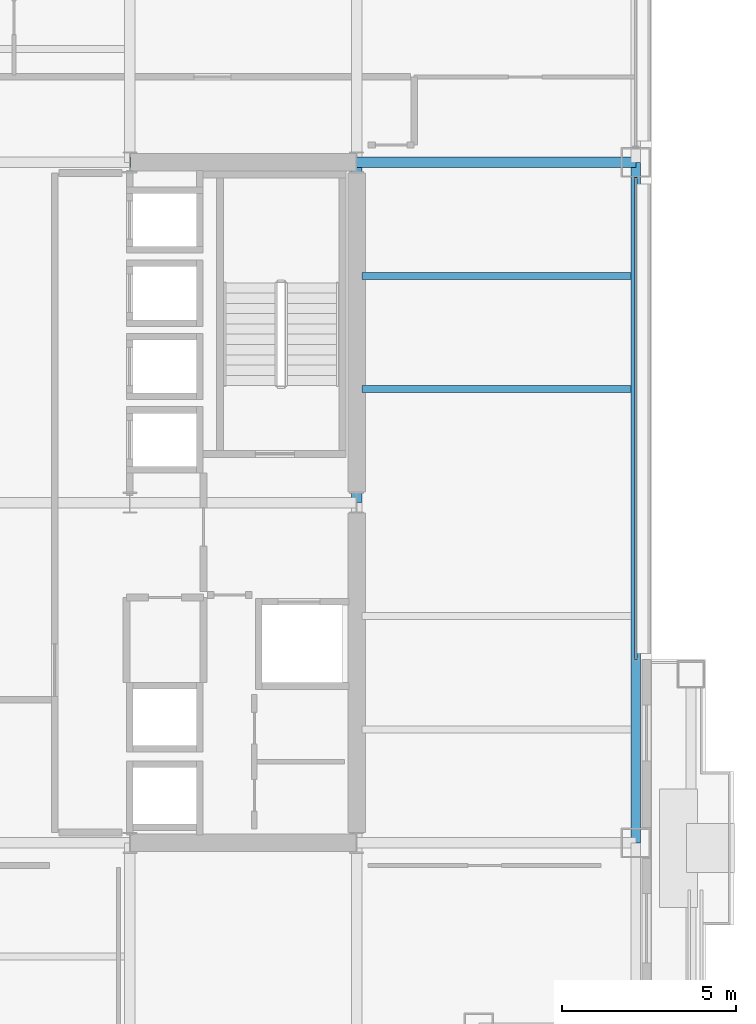
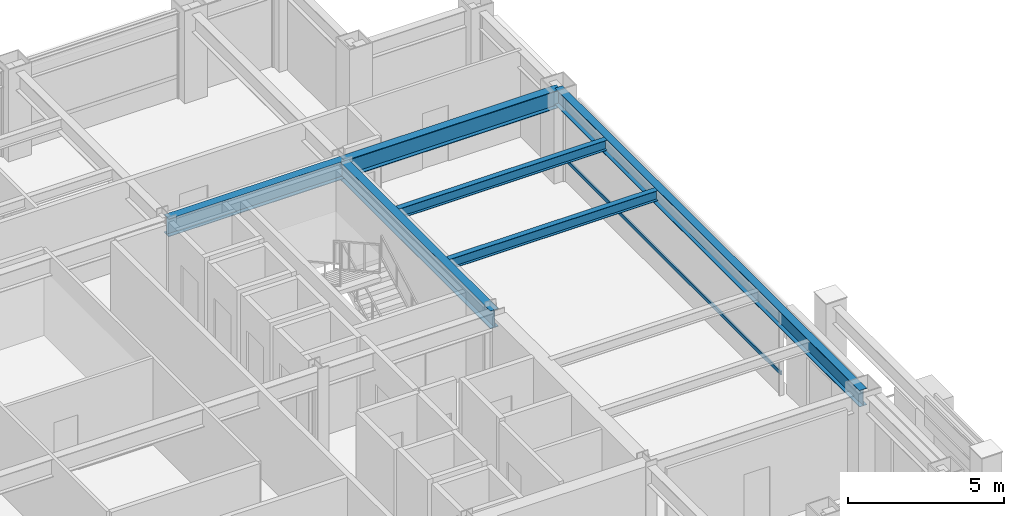
# One storey, part 15 of 29: 6 beams, 1 member, 1 element without a shape of its own.
"""IFC4 building model written with IfcOpenShell, lengths in metres."""

import ifcopenshell
import ifcopenshell.guid

model = None  # the IFC model being written
_history = None  # IfcOwnerHistory: only IFC2X3 demands one
_inside = {}  # id of a spatial element -> (the spatial element, [elements in it])
_under = {}  # id of a project, library or spatial element -> (it, [spatial elements below it])
_declared = {}  # id of a project -> (the project, [libraries it declares])
_typed = {}  # id of a type object -> (the type object, [elements of that type])
_made_of = {}  # id of a material, layer set ... -> (it, [elements and type objects made of it])


def new_model(schema):
    """Start an empty IFC model of exactly this schema.

    Asked for "IFC4X3", IfcOpenShell would pick the latest addendum, in which some entities
    have other attributes; the version numbers below select the first issue.
    IFC2X3 requires an IfcOwnerHistory on every rooted entity: one is made here for all.
    """
    global model, _history
    if schema == "IFC4X3":
        model = ifcopenshell.file(schema_version=(4, 3, 0, 0))
    else:
        model = ifcopenshell.file(schema=schema)
    _inside.clear()
    _under.clear()
    _declared.clear()
    _typed.clear()
    _made_of.clear()
    _history = None
    if model.schema == "IFC2X3":
        org = make("IfcOrganization", Name="unknown")
        user = make(
            "IfcPersonAndOrganization",
            ThePerson=make("IfcPerson", FamilyName="unknown"),
            TheOrganization=org,
        )
        app = make(
            "IfcApplication",
            ApplicationDeveloper=org,
            Version="unknown",
            ApplicationFullName="unknown",
            ApplicationIdentifier="unknown",
        )
        _history = make(
            "IfcOwnerHistory",
            OwningUser=user,
            OwningApplication=app,
            ChangeAction="ADDED",
            CreationDate=0,
        )
    return model


def make(cls, **values):
    """One entity of the class cls with the attributes given. An attribute that is None is left unset."""
    return model.create_entity(
        cls, **{name: value for name, value in values.items() if value is not None}
    )


def rooted(cls, **values):
    """An entity with a GlobalId (a new one), such as an element, a storey or a relation."""
    return make(cls, GlobalId=ifcopenshell.guid.new(), OwnerHistory=_history, **values)


def si_unit(unit_type, name, prefix=None):
    """IfcSIUnit, for example si_unit("LENGTHUNIT", "METRE", prefix="MILLI")."""
    return make("IfcSIUnit", UnitType=unit_type, Prefix=prefix, Name=name)


def assignment(units):
    """IfcUnitAssignment: the units of a project."""
    return None if units is None else make("IfcUnitAssignment", Units=units)


def point(xyz):
    """IfcCartesianPoint."""
    return None if xyz is None else make("IfcCartesianPoint", Coordinates=xyz)


def direction(xyz):
    """IfcDirection."""
    return None if xyz is None else make("IfcDirection", DirectionRatios=xyz)


def frame(location, z_axis=None, x_axis=None):
    """IfcAxis2Placement3D, a coordinate frame: its origin and axes. An axis left out is left unset."""
    return make(
        "IfcAxis2Placement3D",
        Location=point(location),
        Axis=direction(z_axis),
        RefDirection=direction(x_axis),
    )


def frame_2d(location, x_axis=None):
    """IfcAxis2Placement2D, a coordinate frame in the plane: its origin and x axis."""
    return make(
        "IfcAxis2Placement2D", Location=point(location), RefDirection=direction(x_axis)
    )


def origin():
    """The frame at (0, 0, 0) with its axes left unset."""
    return frame((0.0, 0.0, 0.0))


def origin_2d():
    """The frame at (0, 0) in the plane with its x axis left unset."""
    return frame_2d((0.0, 0.0))


def place(relative_to, where):
    """IfcLocalPlacement: puts the frame where relative to a parent placement (None: the world)."""
    return make(
        "IfcLocalPlacement", PlacementRelTo=relative_to, RelativePlacement=where
    )


def context(
    kind, dimensions, precision=None, world=None, true_north=None, identifier=None
):
    """IfcGeometricRepresentationContext, for example the 3D "Model" context."""
    return make(
        "IfcGeometricRepresentationContext",
        ContextIdentifier=identifier,
        ContextType=kind,
        CoordinateSpaceDimension=dimensions,
        Precision=precision,
        WorldCoordinateSystem=world,
        TrueNorth=true_north,
    )


def subcontext(parent, identifier, kind, view, scale=None):
    """IfcGeometricRepresentationSubContext, for example "Body" below "Model"."""
    return make(
        "IfcGeometricRepresentationSubContext",
        ContextIdentifier=identifier,
        ContextType=kind,
        ParentContext=parent,
        TargetScale=scale,
        TargetView=view,
    )


def project(units=None, contexts=None):
    """IfcProject with its units and contexts."""
    return rooted(
        "IfcProject",
        Name="project",
        RepresentationContexts=contexts,
        UnitsInContext=assignment(units),
    )


def spatial(cls, under=None, at=None, **own):
    """A site, building, storey or space (cls), placed at a placement, below another one or the project."""
    s = rooted(cls, ObjectPlacement=at, **own)
    if under is not None:
        _under.setdefault(under.id(), (under, []))[1].append(s)
    return s


def profile(cls, at=None, kind="AREA", **sizes):
    """A parametric profile (cls). Its sizes go by their IFC names, for example OverallWidth=200.0."""
    return make(cls, ProfileType=kind, Position=at, **sizes)


def hollow_rectangle(**sizes):
    """IfcRectangleHollowProfileDef."""
    return profile("IfcRectangleHollowProfileDef", **sizes)


def i_section(**sizes):
    """IfcIShapeProfileDef."""
    return profile("IfcIShapeProfileDef", **sizes)


def extrude(swept, where, along, depth):
    """IfcExtrudedAreaSolid: the profile swept, set in the frame where, extruded along a direction by depth."""
    return make(
        "IfcExtrudedAreaSolid",
        SweptArea=swept,
        Position=where,
        ExtrudedDirection=direction(along),
        Depth=depth,
    )


def shape(context_of_items, identifier, shape_type, items):
    """IfcShapeRepresentation: the items that make up one representation, for example the "Body"."""
    return make(
        "IfcShapeRepresentation",
        ContextOfItems=context_of_items,
        RepresentationIdentifier=identifier,
        RepresentationType=shape_type,
        Items=items,
    )


def material(Name=None, Category=None):
    """IfcMaterial."""
    return make("IfcMaterial", Name=Name, Category=Category)


def layer(
    of_material, thickness, ventilated=None, Name=None, Category=None, Priority=None
):
    """IfcMaterialLayer: one layer of a wall or slab, of a material (None: an air gap)."""
    return make(
        "IfcMaterialLayer",
        Material=of_material,
        LayerThickness=thickness,
        IsVentilated=ventilated,
        Name=Name,
        Category=Category,
        Priority=Priority,
    )


def layer_set(layers, Name=None):
    """IfcMaterialLayerSet."""
    return make("IfcMaterialLayerSet", MaterialLayers=layers, LayerSetName=Name)


def material_profile(
    of_material, cross_section, Name=None, Category=None, Priority=None
):
    """IfcMaterialProfile: a cross section and its material."""
    return make(
        "IfcMaterialProfile",
        Name=Name,
        Material=of_material,
        Profile=cross_section,
        Priority=Priority,
        Category=Category,
    )


def profile_set(profiles, Name=None, composite=None):
    """IfcMaterialProfileSet."""
    return make(
        "IfcMaterialProfileSet",
        Name=Name,
        MaterialProfiles=profiles,
        CompositeProfile=composite,
    )


def made_of(thing, what):
    """Note that an element or type object is made of a material, layer set ...; save() writes the relation."""
    if what is not None:
        _made_of.setdefault(what.id(), (what, []))[1].append(thing)
    return thing


def type_object(cls, material=None, **own):
    """A type object (cls), such as IfcWallType, which elements share."""
    return made_of(rooted(cls, **own), material)


def element(
    cls,
    number,
    at=None,
    inside=None,
    cuts=None,
    type_object=None,
    material=None,
    context=None,
    identifier="Body",
    shape_type=None,
    held_by="IfcProductDefinitionShape",
    body=None,
    shapes=None,
    **own,
):
    """One element of the class cls, such as IfcWall. Its Tag is "e" and its number.

    at: its placement. inside: the storey or other place that contains it. cuts: it is an
    opening in that element (IfcRelVoidsElement). A single representation is given by context,
    identifier, shape_type and body (its items); several are given by shapes. held_by: the class
    of the entity that holds the representations. save() writes the other relations.
    """
    e = rooted(cls, Tag="e%d" % number, ObjectPlacement=at, **own)
    if body is not None:
        shapes = [shape(context, identifier, shape_type, body)]
    if shapes is not None:
        e.Representation = make(held_by, Representations=shapes)
    if inside is not None:
        _inside.setdefault(inside.id(), (inside, []))[1].append(e)
    if cuts is not None:
        rooted(
            "IfcRelVoidsElement", RelatingBuildingElement=cuts, RelatedOpeningElement=e
        )
    if type_object is not None:
        _typed.setdefault(type_object.id(), (type_object, []))[1].append(e)
    return made_of(e, material)


def aggregate(whole, parts):
    """IfcRelAggregates: a whole, such as a stair, and the parts it consists of."""
    return rooted("IfcRelAggregates", RelatingObject=whole, RelatedObjects=parts)


def save(model, path):
    """Write the relations noted so far, then the file.

    IfcRelAggregates (storeys below a building ...), IfcRelContainedInSpatialStructure (elements
    in a storey), IfcRelDefinesByType, IfcRelAssociatesMaterial and IfcRelDeclares: one each for
    every whole, place, type object, material and project.
    """
    for whole, parts in _under.values():
        aggregate(whole, parts)
    for where, things in _inside.values():
        rooted(
            "IfcRelContainedInSpatialStructure",
            RelatedElements=things,
            RelatingStructure=where,
        )
    for kind, things in _typed.values():
        rooted("IfcRelDefinesByType", RelatedObjects=things, RelatingType=kind)
    for what, things in _made_of.values():
        rooted("IfcRelAssociatesMaterial", RelatedObjects=things, RelatingMaterial=what)
    for by, libraries in _declared.values():
        rooted("IfcRelDeclares", RelatingContext=by, RelatedDefinitions=libraries)
    model.write(path)


model = new_model("IFC4")

# Units and contexts
model_context = context("Model", 3, precision=1e-05, world=origin(), true_north=direction((0.0, 1.0)))
body_context = subcontext(model_context, "Body", "Model", "MODEL_VIEW")
ifc_project = project(units=[si_unit("LENGTHUNIT", "METRE"), si_unit("AREAUNIT", "SQUARE_METRE"), si_unit("VOLUMEUNIT", "CUBIC_METRE"), si_unit("PLANEANGLEUNIT", "RADIAN"), si_unit("MASSUNIT", "GRAM", prefix="KILO")], contexts=[model_context])

# Site, building, storey
site_placement = place(None, origin())
site = spatial("IfcSite", under=ifc_project, at=site_placement, CompositionType="ELEMENT")
building_placement = place(site_placement, origin())
building = spatial("IfcBuilding", under=site, at=building_placement, Name="Brelmoor Portico Tower", CompositionType="ELEMENT")
storey_placement = place(building_placement, frame((0.0, 0.0, 95.39990234375)))
storey = spatial("IfcBuildingStorey", under=building, at=storey_placement, Name="L24", CompositionType="ELEMENT", Elevation=95.39990234375)

# Beams
ifc_material_1 = material(Name="Steel Q355B", Category="steel")
ifc_material_profile_1 = material_profile(ifc_material_1, i_section(OverallWidth=0.199951171875, OverallDepth=0.39990234375, WebThickness=0.008056640625, FlangeThickness=0.012939453125, at=origin_2d()), Name="HN 400x200x8x13")
ifc_profile_set_1 = profile_set([ifc_material_profile_1], Name="Steel Q355B")
beam_type_1 = type_object("IfcBeamType", Name="BM-JS-400", PredefinedType="JOIST", material=ifc_profile_set_1)
for number, where, z_axis, x_axis, name in (
    (1, (14.699951171875, 3.25, 3.2001953125), (1.0, 0.0, 0.0), (0.0, 1.0, 0.0), "L24 Secondary Wing Joist JS-E11"),
    (2, (14.699951171875, 6.5, 3.2001953125), (1.0, 0.0, 0.0), (0.0, 1.0, 0.0), "L24 Secondary Wing Joist JS-E12"),
):
    element("IfcBeam", number, at=place(storey_placement, frame(where, z_axis=z_axis, x_axis=x_axis)), inside=storey, type_object=beam_type_1, Name=name, PredefinedType="JOIST", context=body_context, shape_type="SweptSolid", body=[
        extrude(i_section(OverallWidth=0.199951171875, OverallDepth=0.39990234375, WebThickness=0.008056640625, FlangeThickness=0.012939453125, at=origin_2d()), origin(), (0.0, 0.0, 1.0), 7.7099609375),
    ])
ifc_material_profile_2 = material_profile(ifc_material_1, i_section(OverallWidth=0.300048828125, OverallDepth=0.699951171875, WebThickness=0.012939453125, FlangeThickness=0.02392578125, at=origin_2d()), Name="HN 700x300x13x24")
ifc_profile_set_2 = profile_set([ifc_material_profile_2], Name="Steel Q355B")
beam_type_2 = type_object("IfcBeamType", Name="BM-PG-700", PredefinedType="BEAM", material=ifc_profile_set_2)
beam_1_placement = place(storey_placement, frame((14.550048828125, 0.0, 3.050048828125), z_axis=(0.0, 1.0, 0.0), x_axis=(-1.0, 0.0, 0.0)))
element("IfcBeam", 3, at=beam_1_placement, inside=storey, type_object=beam_type_2, Name="L24 Primary Floor Girder PG-12", PredefinedType="BEAM", context=body_context, shape_type="SweptSolid", body=[
    extrude(i_section(OverallWidth=0.300048828125, OverallDepth=0.699951171875, WebThickness=0.012939453125, FlangeThickness=0.02392578125, at=origin_2d()), origin(), (0.0, 0.0, 1.0), 9.75),
])
beam_2_placement = place(storey_placement, frame((8.050048828125, 9.75, 3.050048828125), z_axis=(1.0, 0.0, 0.0), x_axis=(0.0, 1.0, 0.0)))
element("IfcBeam", 4, at=beam_2_placement, inside=storey, type_object=beam_type_2, Name="L24 Primary Floor Girder PG-25", PredefinedType="BEAM", context=body_context, shape_type="SweptSolid", body=[
    extrude(i_section(OverallWidth=0.300048828125, OverallDepth=0.699951171875, WebThickness=0.012939453125, FlangeThickness=0.02392578125, at=origin_2d()), origin(), (0.0, 0.0, 1.0), 6.5),
])
beam_3_placement = place(storey_placement, frame((14.550048828125, 9.75, 3.050048828125), z_axis=(1.0, 0.0, 0.0), x_axis=(0.0, 1.0, 0.0)))
element("IfcBeam", 5, at=beam_3_placement, inside=storey, type_object=beam_type_2, Name="L24 Primary Floor Girder PG-26", PredefinedType="BEAM", context=body_context, shape_type="SweptSolid", body=[
    extrude(i_section(OverallWidth=0.300048828125, OverallDepth=0.699951171875, WebThickness=0.012939453125, FlangeThickness=0.02392578125, at=origin_2d()), origin(), (0.0, 0.0, 1.0), 8.0),
])
ifc_material_profile_3 = material_profile(ifc_material_1, i_section(OverallWidth=0.280029296875, OverallDepth=0.64990234375, WebThickness=0.012939453125, FlangeThickness=0.02197265625, at=origin_2d()), Name="HN 650x280x13x22")
ifc_profile_set_3 = profile_set([ifc_material_profile_3], Name="Steel Q355B")
beam_type_3 = type_object("IfcBeamType", Name="BM-SP-650", PredefinedType="SPANDREL", material=ifc_profile_set_3)
beam_4_placement = place(storey_placement, frame((22.550048828125, -9.75, 3.0751953125), z_axis=(0.0, 1.0, 0.0), x_axis=(-1.0, 0.0, 0.0)))
element("IfcBeam", 6, at=beam_4_placement, inside=storey, type_object=beam_type_3, Name="L24 Perimeter Spandrel Beam SP-23", PredefinedType="SPANDREL", context=body_context, shape_type="SweptSolid", body=[
    extrude(i_section(OverallWidth=0.280029296875, OverallDepth=0.64990234375, WebThickness=0.012939453125, FlangeThickness=0.02197265625, at=origin_2d()), origin(), (0.0, 0.0, 1.0), 19.5),
])

# Curtain wall, member
ifc_material_2 = material(Name="Anodised Aluminium Alloy 6063-T6", Category="aluminium")
ifc_layer = layer(ifc_material_2, 0.179931640625)
ifc_layer_set = layer_set([ifc_layer], Name="Anodised Aluminium Alloy 6063-T6")
curtain_wall_type = type_object("IfcCurtainWallType", Name="CW-TOWER-Z2", PredefinedType="NOTDEFINED", material=ifc_layer_set)
curtain_wall_placement = place(storey_placement, origin())
curtain_wall = element("IfcCurtainWall", 7, at=curtain_wall_placement, inside=storey, type_object=curtain_wall_type, Name="L24 Curtain Wall CW-L24-4R-1", PredefinedType="NOTDEFINED")
ifc_material_profile_4 = material_profile(ifc_material_2, hollow_rectangle(XDim=0.06494140625, YDim=0.139892578125, WallThickness=0.00390625, at=origin_2d()), Name="ALU TRANSOM 65x140")
ifc_profile_set_4 = profile_set([ifc_material_profile_4], Name="Anodised Aluminium Alloy 6063-T6")
member_type = type_object("IfcMemberType", Name="MB-CW-TRAN-140", PredefinedType="USERDEFINED", material=ifc_profile_set_4)
member_placement = place(storey_placement, frame((22.550048828125, -4.5, 0.85009765625), z_axis=(0.0, 1.0, 0.0), x_axis=(-1.0, 0.0, 0.0)))
member = element("IfcMember", 8, at=member_placement, type_object=member_type, Name="CW-L24-4R-1 Transom 1-00", ObjectType="TRANSOM", PredefinedType="USERDEFINED", context=body_context, shape_type="SweptSolid", body=[
    extrude(hollow_rectangle(XDim=0.06494140625, YDim=0.139892578125, WallThickness=0.00390625, at=origin_2d()), origin(), (0.0, 0.0, 1.0), 13.81494140625),
])
aggregate(curtain_wall, [member])

save(model, "model.ifc")
